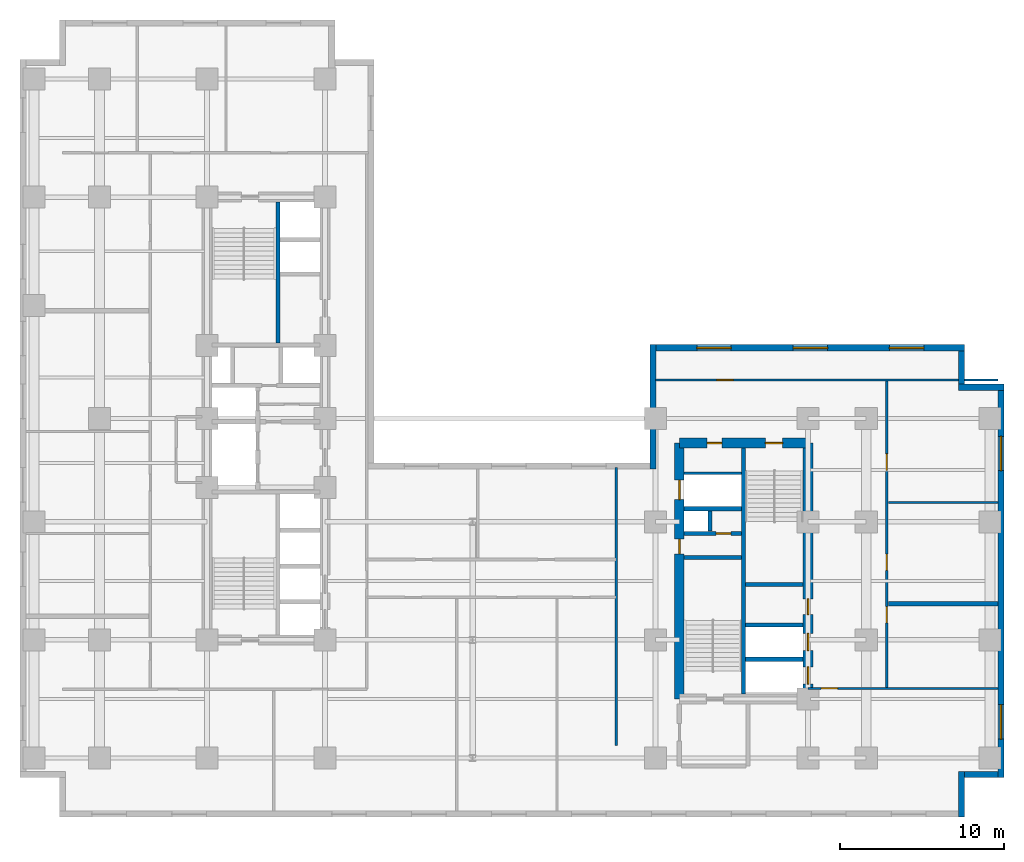
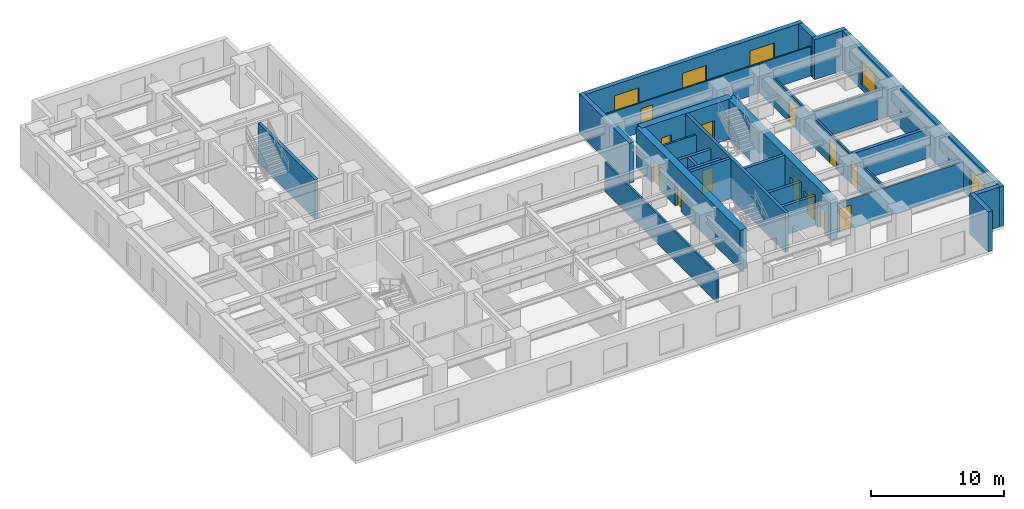
# One storey, part 5 of 9: 26 walls, 13 doors, 5 windows, 18 openings.
"""IFC4 building model written with IfcOpenShell, lengths in metres."""

from ifc_helpers import new_model, entity, si_unit, converted_unit, direction, frame, origin_with_axes, origin_2d_with_axis, place, context, subcontext, project, spatial, polyline, rectangle, outline, extrude, material, layer, layer_set, type_object, element, fill, save


model = new_model("IFC4")

# Units and contexts
model_context = context("Model", 3, precision=1e-05, world=origin_with_axes(), true_north=direction((0.0, 1.0)))
body_context = subcontext(model_context, "Body", "Model", "MODEL_VIEW")
ifc_project = project(units=[si_unit("LENGTHUNIT", "METRE"), si_unit("AREAUNIT", "SQUARE_METRE"), si_unit("VOLUMEUNIT", "CUBIC_METRE"), converted_unit("PLANEANGLEUNIT", "DEGREE", entity("IfcPlaneAngleMeasure", 0.017453292519943295), si_unit("PLANEANGLEUNIT", "RADIAN"), dimensions=[0, 0, 0, 0, 0, 0, 0]), si_unit("MASSUNIT", "GRAM", prefix="KILO"), si_unit("THERMODYNAMICTEMPERATUREUNIT", "KELVIN")], contexts=[model_context])

# Site, building, storey
site_placement = place(None, origin_with_axes())
site = spatial("IfcSite", under=ifc_project, at=site_placement, CompositionType="ELEMENT")
building_placement = place(site_placement, origin_with_axes())
building = spatial("IfcBuilding", under=site, at=building_placement, Name="Varnlund Millrace Tower", CompositionType="ELEMENT")
storey_placement = place(building_placement, frame((0.0, 0.0, 52.2), z_axis=(0.0, 0.0, 1.0), x_axis=(1.0, 0.0, 0.0)))
storey = spatial("IfcBuildingStorey", under=building, at=storey_placement, Name="L12", CompositionType="ELEMENT", Elevation=52.2)

# Wall, openings, doors
ifc_material_1 = material(Name="Concrete C80/95", Category="concrete")
ifc_layer_1 = layer(ifc_material_1, 0.6, Name="Concrete C80/95")
ifc_layer_set_1 = layer_set([ifc_layer_1], Name="Concrete C80/95")
wall_type_1 = type_object("IfcWallType", Name="Type-CoreWall-Shear-600-C80", PredefinedType="SHEAR", material=ifc_layer_set_1)
wall_1_placement = place(storey_placement, frame((40.2, 7.2, 0.0), z_axis=(0.0, 0.0, 1.0), x_axis=(0.0, 1.0, 0.0)))
wall_1 = element("IfcWall", 1, at=wall_1_placement, inside=storey, type_object=wall_type_1, Name="Type-CoreWall-Shear-600-C80", PredefinedType="SHEAR", context=body_context, shape_type="SweptSolid", body=[
    extrude(outline(polyline([(0.0, -0.3), (15.6, -0.3), (15.6, 0.3), (0.0, 0.3), (0.0, -0.3)])), origin_with_axes(), (0.0, 0.0, 1.0), 3.66),
])
opening_1_placement = place(wall_1_placement, frame((12.75, 0.0, 0.0), z_axis=(0.0, 0.0, 1.0), x_axis=(1.0, 0.0, 0.0)))
opening_1 = element("IfcOpeningElement", 2, at=opening_1_placement, cuts=wall_1, Name="Opening L12:LD-SRV2", PredefinedType="OPENING", context=body_context, shape_type="SweptSolid", body=[
    extrude(rectangle(XDim=1.2, YDim=0.62, at=origin_2d_with_axis()), origin_with_axes(), (0.0, 0.0, 1.0), 2.15),
])
opening_2_placement = place(wall_1_placement, frame((9.3, 0.0, 0.0), z_axis=(0.0, 0.0, 1.0), x_axis=(1.0, 0.0, 0.0)))
opening_2 = element("IfcOpeningElement", 3, at=opening_2_placement, cuts=wall_1, Name="Opening L12:DR-CB-JAN", PredefinedType="OPENING", context=body_context, shape_type="SweptSolid", body=[
    extrude(rectangle(XDim=0.9, YDim=0.62, at=origin_2d_with_axis()), origin_with_axes(), (0.0, 0.0, 1.0), 2.15),
])
ifc_material_2 = material(Name="Fire-rated hollow steel service closet door", Category="steel")
door_type_1 = type_object("IfcDoorType", Name="Type-FireDoor-Closet-900X2150", OperationType="NOTDEFINED", PredefinedType="DOOR", material=ifc_material_2)
door_1_placement = place(wall_1_placement, frame((9.3, 0.0, 0.0), z_axis=(0.0, 0.0, 1.0), x_axis=(1.0, 0.0, 0.0)))
door_1 = element("IfcDoor", 4, at=door_1_placement, inside=storey, type_object=door_type_1, Name="Type-FireDoor-Closet-900X2150", OperationType="SINGLE_SWING_RIGHT", OverallHeight=2.15, OverallWidth=0.9, PredefinedType="DOOR", context=body_context, shape_type="SweptSolid", body=[
    extrude(rectangle(XDim=0.9, YDim=0.09, at=origin_2d_with_axis()), origin_with_axes(), (0.0, 0.0, 1.0), 2.15),
])
fill(opening_2, door_1)
ifc_material_3 = material(Name="Heavy-duty freight sliding landing door")
door_type_2 = type_object("IfcDoorType", Name="Type-LiftLandingDoor-Service-1200X2150", OperationType="NOTDEFINED", PredefinedType="DOOR", material=ifc_material_3)
door_2_placement = place(wall_1_placement, frame((12.75, 0.0, 0.0), z_axis=(0.0, 0.0, 1.0), x_axis=(1.0, 0.0, 0.0)))
door_2 = element("IfcDoor", 5, at=door_2_placement, inside=storey, type_object=door_type_2, Name="Type-LiftLandingDoor-Service-1200X2150", OperationType="DOUBLE_DOOR_SLIDING", OverallHeight=2.15, OverallWidth=1.2, PredefinedType="DOOR", context=body_context, shape_type="SweptSolid", body=[
    extrude(rectangle(XDim=1.2, YDim=0.09, at=origin_2d_with_axis()), origin_with_axes(), (0.0, 0.0, 1.0), 2.15),
])
fill(opening_1, door_2)

wall_2_placement = place(storey_placement, frame((40.2, 22.8, 0.0), z_axis=(0.0, 0.0, 1.0), x_axis=(1.0, 0.0, 0.0)))
wall_2 = element("IfcWall", 6, at=wall_2_placement, inside=storey, type_object=wall_type_1, Name="Type-CoreWall-Shear-600-C80", PredefinedType="SHEAR", context=body_context, shape_type="SweptSolid", body=[
    extrude(outline(polyline([(0.0, -0.3), (7.85, -0.3), (7.85, 0.3), (0.0, 0.3), (0.0, -0.3)])), origin_with_axes(), (0.0, 0.0, 1.0), 3.66),
])
opening_3_placement = place(wall_2_placement, frame((5.775, 0.0, 0.0), z_axis=(0.0, 0.0, 1.0), x_axis=(1.0, 0.0, 0.0)))
opening_3 = element("IfcOpeningElement", 7, at=opening_3_placement, cuts=wall_2, Name="Opening L12:DR-STB2", PredefinedType="OPENING", context=body_context, shape_type="SweptSolid", body=[
    extrude(rectangle(XDim=1.05, YDim=0.62, at=origin_2d_with_axis()), origin_with_axes(), (0.0, 0.0, 1.0), 2.15),
])
opening_4_placement = place(wall_2_placement, frame((2.15, 0.0, 0.0), z_axis=(0.0, 0.0, 1.0), x_axis=(1.0, 0.0, 0.0)))
opening_4 = element("IfcOpeningElement", 8, at=opening_4_placement, cuts=wall_2, Name="Opening L12:DR-CB-NW", PredefinedType="OPENING", context=body_context, shape_type="SweptSolid", body=[
    extrude(rectangle(XDim=0.9, YDim=0.62, at=origin_2d_with_axis()), origin_with_axes(), (0.0, 0.0, 1.0), 2.15),
])
door_3_placement = place(wall_2_placement, frame((2.15, 0.0, 0.0), z_axis=(0.0, 0.0, 1.0), x_axis=(1.0, 0.0, 0.0)))
door_3 = element("IfcDoor", 9, at=door_3_placement, inside=storey, type_object=door_type_1, Name="Type-FireDoor-Closet-900X2150", OperationType="SINGLE_SWING_LEFT", OverallHeight=2.15, OverallWidth=0.9, PredefinedType="DOOR", context=body_context, shape_type="SweptSolid", body=[
    extrude(rectangle(XDim=0.9, YDim=0.09, at=origin_2d_with_axis()), origin_with_axes(), (0.0, 0.0, 1.0), 2.15),
])
fill(opening_4, door_3)
ifc_material_4 = material(Name="Fire-rated hollow steel door", Category="steel")
door_type_3 = type_object("IfcDoorType", Name="Type-FireDoor-Stair-1050X2150", OperationType="NOTDEFINED", PredefinedType="DOOR", material=ifc_material_4)
door_4_placement = place(wall_2_placement, frame((5.775, 0.0, 0.0), z_axis=(0.0, 0.0, 1.0), x_axis=(1.0, 0.0, 0.0)))
door_4 = element("IfcDoor", 10, at=door_4_placement, inside=storey, type_object=door_type_3, Name="Type-FireDoor-Stair-1050X2150", OperationType="SINGLE_SWING_RIGHT", OverallHeight=2.15, OverallWidth=1.05, PredefinedType="DOOR", context=body_context, shape_type="SweptSolid", body=[
    extrude(rectangle(XDim=1.05, YDim=0.09, at=origin_2d_with_axis()), origin_with_axes(), (0.0, 0.0, 1.0), 2.15),
])
fill(opening_3, door_4)

wall_3_placement = place(storey_placement, frame((48.05, 7.2, 0.0), z_axis=(0.0, 0.0, 1.0), x_axis=(0.0, 1.0, 0.0)))
wall_3 = element("IfcWall", 11, at=wall_3_placement, inside=storey, type_object=wall_type_1, Name="Type-CoreWall-Shear-600-C80", PredefinedType="SHEAR", context=body_context, shape_type="SweptSolid", body=[
    extrude(outline(polyline([(0.0, -0.3), (15.6, -0.3), (15.6, 0.3), (0.0, 0.3), (0.0, -0.3)])), origin_with_axes(), (0.0, 0.0, 1.0), 3.66),
])
opening_5_placement = place(wall_3_placement, frame((1.425, 0.0, 0.0), z_axis=(0.0, 0.0, 1.0), x_axis=(1.0, 0.0, 0.0)))
opening_5 = element("IfcOpeningElement", 12, at=opening_5_placement, cuts=wall_3, Name="Opening L12:LD-ELV-L3", PredefinedType="OPENING", context=body_context, shape_type="SweptSolid", body=[
    extrude(rectangle(XDim=1.05, YDim=0.62, at=origin_2d_with_axis()), origin_with_axes(), (0.0, 0.0, 1.0), 2.15),
])
opening_6_placement = place(wall_3_placement, frame((3.475, 0.0, 0.0), z_axis=(0.0, 0.0, 1.0), x_axis=(1.0, 0.0, 0.0)))
opening_6 = element("IfcOpeningElement", 13, at=opening_6_placement, cuts=wall_3, Name="Opening L12:LD-ELV-L4", PredefinedType="OPENING", context=body_context, shape_type="SweptSolid", body=[
    extrude(rectangle(XDim=1.05, YDim=0.62, at=origin_2d_with_axis()), origin_with_axes(), (0.0, 0.0, 1.0), 2.15),
])
opening_7_placement = place(wall_3_placement, frame((5.625, 0.0, 0.0), z_axis=(0.0, 0.0, 1.0), x_axis=(1.0, 0.0, 0.0)))
opening_7 = element("IfcOpeningElement", 14, at=opening_7_placement, cuts=wall_3, Name="Opening L12:DR-CB-WC", PredefinedType="OPENING", context=body_context, shape_type="SweptSolid", body=[
    extrude(rectangle(XDim=0.95, YDim=0.62, at=origin_2d_with_axis()), origin_with_axes(), (0.0, 0.0, 1.0), 2.15),
])
ifc_material_5 = material(Name="Fire-rated hollow steel core service door", Category="steel")
door_type_4 = type_object("IfcDoorType", Name="Type-FireDoor-Service-950X2150", OperationType="NOTDEFINED", PredefinedType="DOOR", material=ifc_material_5)
door_5_placement = place(wall_3_placement, frame((5.625, 0.0, 0.0), z_axis=(0.0, 0.0, 1.0), x_axis=(1.0, 0.0, 0.0)))
door_5 = element("IfcDoor", 15, at=door_5_placement, inside=storey, type_object=door_type_4, Name="Type-FireDoor-Service-950X2150", OperationType="SINGLE_SWING_LEFT", OverallHeight=2.15, OverallWidth=0.95, PredefinedType="DOOR", context=body_context, shape_type="SweptSolid", body=[
    extrude(rectangle(XDim=0.95, YDim=0.09, at=origin_2d_with_axis()), origin_with_axes(), (0.0, 0.0, 1.0), 2.15),
])
fill(opening_7, door_5)
ifc_material_6 = material(Name="Architectural bronze sliding landing door")
door_type_5 = type_object("IfcDoorType", Name="Type-LiftLandingDoor-Compact-1050X2150", OperationType="NOTDEFINED", PredefinedType="DOOR", material=ifc_material_6)
door_6_placement = place(wall_3_placement, frame((1.425, 0.0, 0.0), z_axis=(0.0, 0.0, 1.0), x_axis=(1.0, 0.0, 0.0)))
door_6 = element("IfcDoor", 16, at=door_6_placement, inside=storey, type_object=door_type_5, Name="Type-LiftLandingDoor-Compact-1050X2150", OperationType="SLIDING_TO_LEFT", OverallHeight=2.15, OverallWidth=1.05, PredefinedType="DOOR", context=body_context, shape_type="SweptSolid", body=[
    extrude(rectangle(XDim=1.05, YDim=0.09, at=origin_2d_with_axis()), origin_with_axes(), (0.0, 0.0, 1.0), 2.15),
])
fill(opening_5, door_6)
door_7_placement = place(wall_3_placement, frame((3.475, 0.0, 0.0), z_axis=(0.0, 0.0, 1.0), x_axis=(1.0, 0.0, 0.0)))
door_7 = element("IfcDoor", 17, at=door_7_placement, inside=storey, type_object=door_type_5, Name="Type-LiftLandingDoor-Compact-1050X2150", OperationType="SLIDING_TO_RIGHT", OverallHeight=2.15, OverallWidth=1.05, PredefinedType="DOOR", context=body_context, shape_type="SweptSolid", body=[
    extrude(rectangle(XDim=1.05, YDim=0.09, at=origin_2d_with_axis()), origin_with_axes(), (0.0, 0.0, 1.0), 2.15),
])
fill(opening_6, door_7)

# Wall
ifc_material_7 = material(Name="Precast concrete C50/60", Category="concrete")
ifc_layer_2 = layer(ifc_material_7, 0.38, Name="Precast concrete C50/60")
ifc_layer_set_2 = layer_set([ifc_layer_2], Name="Precast concrete C50/60")
wall_type_2 = type_object("IfcWallType", Name="Type-ExtWall-Precast-Tube-380", PredefinedType="SOLIDWALL", material=ifc_layer_set_2)
wall_4_placement = place(storey_placement, frame((38.59, 21.22, 0.0), z_axis=(0.0, 0.0, 1.0), x_axis=(0.0, 1.0, 0.0)))
element("IfcWall", 18, at=wall_4_placement, inside=storey, type_object=wall_type_2, Name="Type-ExtWall-Precast-Tube-380", PredefinedType="SOLIDWALL", context=body_context, shape_type="SweptSolid", body=[
    extrude(outline(polyline([(0.0, -0.19), (7.58, -0.19), (7.58, 0.19), (0.0, 0.19), (0.0, -0.19)])), origin_with_axes(), (0.0, 0.0, 1.0), 3.66),
])

# Wall, openings, windows
wall_5_placement = place(storey_placement, frame((38.78, 28.61, 0.0), z_axis=(0.0, 0.0, 1.0), x_axis=(1.0, 0.0, 0.0)))
wall_5 = element("IfcWall", 19, at=wall_5_placement, inside=storey, type_object=wall_type_2, Name="Type-ExtWall-Precast-Tube-380", PredefinedType="SOLIDWALL", context=body_context, shape_type="SweptSolid", body=[
    extrude(outline(polyline([(0.0, -0.19), (18.82, -0.19), (18.82, 0.19), (0.0, 0.19), (0.0, -0.19)])), origin_with_axes(), (0.0, 0.0, 1.0), 3.66),
])
opening_8_placement = place(wall_5_placement, frame((3.537, 0.0, 0.45), z_axis=(0.0, 0.0, 1.0), x_axis=(1.0, 0.0, 0.0)))
opening_8 = element("IfcOpeningElement", 20, at=opening_8_placement, cuts=wall_5, Name="Opening L12:WN-01", PredefinedType="OPENING", context=body_context, shape_type="SweptSolid", body=[
    extrude(rectangle(XDim=2.1, YDim=0.4, at=origin_2d_with_axis()), origin_with_axes(), (0.0, 0.0, 1.0), 2.2),
])
opening_9_placement = place(wall_5_placement, frame((9.41, 0.0, 0.45), z_axis=(0.0, 0.0, 1.0), x_axis=(1.0, 0.0, 0.0)))
opening_9 = element("IfcOpeningElement", 21, at=opening_9_placement, cuts=wall_5, Name="Opening L12:WN-02", PredefinedType="OPENING", context=body_context, shape_type="SweptSolid", body=[
    extrude(rectangle(XDim=2.1, YDim=0.4, at=origin_2d_with_axis()), origin_with_axes(), (0.0, 0.0, 1.0), 2.2),
])
opening_10_placement = place(wall_5_placement, frame((15.283, 0.0, 0.45), z_axis=(0.0, 0.0, 1.0), x_axis=(1.0, 0.0, 0.0)))
opening_10 = element("IfcOpeningElement", 22, at=opening_10_placement, cuts=wall_5, Name="Opening L12:WN-03", PredefinedType="OPENING", context=body_context, shape_type="SweptSolid", body=[
    extrude(rectangle(XDim=2.1, YDim=0.4, at=origin_2d_with_axis()), origin_with_axes(), (0.0, 0.0, 1.0), 2.2),
])
ifc_material_8 = material(Name="Argon low-e triple glazing in thermally broken bronze frame", Category="glass")
window_type = type_object("IfcWindowType", Name="Type-Window-Punched-2100X2200", PartitioningType="SINGLE_PANEL", PredefinedType="WINDOW", material=ifc_material_8)
window_1_placement = place(wall_5_placement, frame((3.537, 0.0, 0.45), z_axis=(0.0, 0.0, 1.0), x_axis=(1.0, 0.0, 0.0)))
window_1 = element("IfcWindow", 23, at=window_1_placement, inside=storey, type_object=window_type, Name="Type-Window-Punched-2100X2200", OverallHeight=2.2, OverallWidth=2.1, PredefinedType="WINDOW", context=body_context, shape_type="SweptSolid", body=[
    extrude(rectangle(XDim=2.1, YDim=0.09, at=origin_2d_with_axis()), origin_with_axes(), (0.0, 0.0, 1.0), 2.2),
])
fill(opening_8, window_1)
window_2_placement = place(wall_5_placement, frame((9.41, 0.0, 0.45), z_axis=(0.0, 0.0, 1.0), x_axis=(1.0, 0.0, 0.0)))
window_2 = element("IfcWindow", 24, at=window_2_placement, inside=storey, type_object=window_type, Name="Type-Window-Punched-2100X2200", OverallHeight=2.2, OverallWidth=2.1, PredefinedType="WINDOW", context=body_context, shape_type="SweptSolid", body=[
    extrude(rectangle(XDim=2.1, YDim=0.09, at=origin_2d_with_axis()), origin_with_axes(), (0.0, 0.0, 1.0), 2.2),
])
fill(opening_9, window_2)
window_3_placement = place(wall_5_placement, frame((15.283, 0.0, 0.45), z_axis=(0.0, 0.0, 1.0), x_axis=(1.0, 0.0, 0.0)))
window_3 = element("IfcWindow", 25, at=window_3_placement, inside=storey, type_object=window_type, Name="Type-Window-Punched-2100X2200", OverallHeight=2.2, OverallWidth=2.1, PredefinedType="WINDOW", context=body_context, shape_type="SweptSolid", body=[
    extrude(rectangle(XDim=2.1, YDim=0.09, at=origin_2d_with_axis()), origin_with_axes(), (0.0, 0.0, 1.0), 2.2),
])
fill(opening_10, window_3)

# Walls
wall_6_placement = place(storey_placement, frame((57.41, 28.42, 0.0), z_axis=(0.0, 0.0, 1.0), x_axis=(0.0, -1.0, 0.0)))
element("IfcWall", 26, at=wall_6_placement, inside=storey, type_object=wall_type_2, Name="Type-ExtWall-Precast-Tube-380", PredefinedType="SOLIDWALL", context=body_context, shape_type="SweptSolid", body=[
    extrude(outline(polyline([(0.0, -0.19), (2.02, -0.19), (2.02, 0.19), (0.0, 0.19), (0.0, -0.19)])), origin_with_axes(), (0.0, 0.0, 1.0), 3.66),
])
wall_7_placement = place(storey_placement, frame((57.22, 26.21, 0.0), z_axis=(0.0, 0.0, 1.0), x_axis=(1.0, 0.0, 0.0)))
element("IfcWall", 27, at=wall_7_placement, inside=storey, type_object=wall_type_2, Name="Type-ExtWall-Precast-Tube-380", PredefinedType="SOLIDWALL", context=body_context, shape_type="SweptSolid", body=[
    extrude(outline(polyline([(0.0, -0.19), (2.78, -0.19), (2.78, 0.19), (0.0, 0.19), (0.0, -0.19)])), origin_with_axes(), (0.0, 0.0, 1.0), 3.66),
])

# Wall, openings, windows
wall_8_placement = place(storey_placement, frame((59.81, 26.02, 0.0), z_axis=(0.0, 0.0, 1.0), x_axis=(0.0, -1.0, 0.0)))
wall_8 = element("IfcWall", 28, at=wall_8_placement, inside=storey, type_object=wall_type_2, Name="Type-ExtWall-Precast-Tube-380", PredefinedType="SOLIDWALL", context=body_context, shape_type="SweptSolid", body=[
    extrude(outline(polyline([(0.0, -0.19), (23.62, -0.19), (23.62, 0.19), (0.0, 0.19), (0.0, -0.19)])), origin_with_axes(), (0.0, 0.0, 1.0), 3.66),
])
opening_11_placement = place(wall_8_placement, frame((3.853, 0.0, 0.45), z_axis=(0.0, 0.0, 1.0), x_axis=(1.0, 0.0, 0.0)))
opening_11 = element("IfcOpeningElement", 29, at=opening_11_placement, cuts=wall_8, Name="Opening L12:WN-04", PredefinedType="OPENING", context=body_context, shape_type="SweptSolid", body=[
    extrude(rectangle(XDim=2.1, YDim=0.4, at=origin_2d_with_axis()), origin_with_axes(), (0.0, 0.0, 1.0), 2.2),
])
opening_12_placement = place(wall_8_placement, frame((20.218, 0.0, 0.45), z_axis=(0.0, 0.0, 1.0), x_axis=(1.0, 0.0, 0.0)))
opening_12 = element("IfcOpeningElement", 30, at=opening_12_placement, cuts=wall_8, Name="Opening L12:WN-05", PredefinedType="OPENING", context=body_context, shape_type="SweptSolid", body=[
    extrude(rectangle(XDim=2.1, YDim=0.4, at=origin_2d_with_axis()), origin_with_axes(), (0.0, 0.0, 1.0), 2.2),
])
window_4_placement = place(wall_8_placement, frame((3.853, 0.0, 0.45), z_axis=(0.0, 0.0, 1.0), x_axis=(1.0, 0.0, 0.0)))
window_4 = element("IfcWindow", 31, at=window_4_placement, inside=storey, type_object=window_type, Name="Type-Window-Punched-2100X2200", OverallHeight=2.2, OverallWidth=2.1, PredefinedType="WINDOW", context=body_context, shape_type="SweptSolid", body=[
    extrude(rectangle(XDim=2.1, YDim=0.09, at=origin_2d_with_axis()), origin_with_axes(), (0.0, 0.0, 1.0), 2.2),
])
fill(opening_11, window_4)
window_5_placement = place(wall_8_placement, frame((20.218, 0.0, 0.45), z_axis=(0.0, 0.0, 1.0), x_axis=(1.0, 0.0, 0.0)))
window_5 = element("IfcWindow", 32, at=window_5_placement, inside=storey, type_object=window_type, Name="Type-Window-Punched-2100X2200", OverallHeight=2.2, OverallWidth=2.1, PredefinedType="WINDOW", context=body_context, shape_type="SweptSolid", body=[
    extrude(rectangle(XDim=2.1, YDim=0.09, at=origin_2d_with_axis()), origin_with_axes(), (0.0, 0.0, 1.0), 2.2),
])
fill(opening_12, window_5)

# Walls
wall_9_placement = place(storey_placement, frame((59.62, 2.59, 0.0), z_axis=(0.0, 0.0, 1.0), x_axis=(-1.0, 0.0, 0.0)))
element("IfcWall", 33, at=wall_9_placement, inside=storey, type_object=wall_type_2, Name="Type-ExtWall-Precast-Tube-380", PredefinedType="SOLIDWALL", context=body_context, shape_type="SweptSolid", body=[
    extrude(outline(polyline([(0.0, -0.19), (2.02, -0.19), (2.02, 0.19), (0.0, 0.19), (0.0, -0.19)])), origin_with_axes(), (0.0, 0.0, 1.0), 3.66),
])
wall_10_placement = place(storey_placement, frame((57.41, 2.78, 0.0), z_axis=(0.0, 0.0, 1.0), x_axis=(0.0, -1.0, 0.0)))
element("IfcWall", 34, at=wall_10_placement, inside=storey, type_object=wall_type_2, Name="Type-ExtWall-Precast-Tube-380", PredefinedType="SOLIDWALL", context=body_context, shape_type="SweptSolid", body=[
    extrude(outline(polyline([(0.0, -0.19), (2.78, -0.19), (2.78, 0.19), (0.0, 0.19), (0.0, -0.19)])), origin_with_axes(), (0.0, 0.0, 1.0), 3.66),
])
ifc_material_9 = material(Name="Double-stud STC-60 conference acoustic partition", Category="gypsum")
ifc_layer_3 = layer(ifc_material_9, 0.28, Name="Double-stud STC-60 conference acoustic partition")
ifc_layer_set_3 = layer_set([ifc_layer_3], Name="Double-stud STC-60 conference acoustic partition")
wall_type_3 = type_object("IfcWallType", Name="Type-Partition-Acoustic-280", PredefinedType="PARTITIONING", material=ifc_layer_set_3)
wall_11_placement = place(storey_placement, frame((52.97, 13.004, 0.0), z_axis=(0.0, 0.0, 1.0), x_axis=(1.0, 0.0, 0.0)))
element("IfcWall", 35, at=wall_11_placement, inside=storey, type_object=wall_type_3, Name="Type-Partition-Acoustic-280", PredefinedType="PARTITIONING", context=body_context, shape_type="SweptSolid", body=[
    extrude(outline(polyline([(0.0, -0.14), (6.655, -0.14), (6.655, 0.14), (0.0, 0.14), (0.0, -0.14)])), origin_with_axes(), (0.0, 0.0, 1.0), 2.7),
])
ifc_material_10 = material(Name="Fire-rated gypsum board on cold-formed steel framing", Category="steel")
ifc_layer_4 = layer(ifc_material_10, 0.16, Name="Fire-rated gypsum board on cold-formed steel framing")
ifc_layer_set_4 = layer_set([ifc_layer_4], Name="Fire-rated gypsum board on cold-formed steel framing")
wall_type_4 = type_object("IfcWallType", Name="Type-Partition-Corridor-160", PredefinedType="PARTITIONING", material=ifc_layer_set_4)
wall_12_placement = place(storey_placement, frame((40.5, 20.96, 0.0), z_axis=(0.0, 0.0, 1.0), x_axis=(1.0, 0.0, 0.0)))
element("IfcWall", 36, at=wall_12_placement, inside=storey, type_object=wall_type_4, Name="Type-Partition-Corridor-160", PredefinedType="PARTITIONING", context=body_context, shape_type="SweptSolid", body=[
    extrude(outline(polyline([(0.0, -0.08), (3.5, -0.08), (3.5, 0.08), (0.0, 0.08), (0.0, -0.08)])), origin_with_axes(), (0.0, 0.0, 1.0), 2.7),
])
wall_13_placement = place(storey_placement, frame((36.35, 4.35, 0.0), z_axis=(0.0, 0.0, 1.0), x_axis=(0.0, 1.0, 0.0)))
element("IfcWall", 37, at=wall_13_placement, inside=storey, type_object=wall_type_4, Name="Type-Partition-Corridor-160", PredefinedType="PARTITIONING", context=body_context, shape_type="SweptSolid", body=[
    extrude(outline(polyline([(0.0, -0.08), (16.95, -0.08), (16.95, 0.08), (0.0, 0.08), (0.0, -0.08)])), origin_with_axes(), (0.0, 0.0, 1.0), 2.7),
])

# Wall, openings, doors
wall_14_placement = place(storey_placement, frame((52.85, 7.85, 0.0), z_axis=(0.0, 0.0, 1.0), x_axis=(0.0, 1.0, 0.0)))
wall_14 = element("IfcWall", 38, at=wall_14_placement, inside=storey, type_object=wall_type_4, Name="Type-Partition-Corridor-160", PredefinedType="PARTITIONING", context=body_context, shape_type="SweptSolid", body=[
    extrude(outline(polyline([(0.0, -0.08), (18.8, -0.08), (18.8, 0.08), (0.0, 0.08), (0.0, -0.08)])), origin_with_axes(), (0.0, 0.0, 1.0), 2.7),
])
opening_13_placement = place(wall_14_placement, frame((4.484, 0.0, 0.0), z_axis=(0.0, 0.0, 1.0), x_axis=(1.0, 0.0, 0.0)))
opening_13 = element("IfcOpeningElement", 39, at=opening_13_placement, cuts=wall_14, Name="Opening L12:DR-WB-01", PredefinedType="OPENING", context=body_context, shape_type="SweptSolid", body=[
    extrude(rectangle(XDim=1.0, YDim=0.18, at=origin_2d_with_axis()), origin_with_axes(), (0.0, 0.0, 1.0), 2.15),
])
opening_14_placement = place(wall_14_placement, frame((7.687, 0.0, 0.0), z_axis=(0.0, 0.0, 1.0), x_axis=(1.0, 0.0, 0.0)))
opening_14 = element("IfcOpeningElement", 40, at=opening_14_placement, cuts=wall_14, Name="Opening L12:DR-WB-02", PredefinedType="OPENING", context=body_context, shape_type="SweptSolid", body=[
    extrude(rectangle(XDim=1.0, YDim=0.18, at=origin_2d_with_axis()), origin_with_axes(), (0.0, 0.0, 1.0), 2.15),
])
opening_15_placement = place(wall_14_placement, frame((13.79, 0.0, 0.0), z_axis=(0.0, 0.0, 1.0), x_axis=(1.0, 0.0, 0.0)))
opening_15 = element("IfcOpeningElement", 41, at=opening_15_placement, cuts=wall_14, Name="Opening L12:DR-WB-03", PredefinedType="OPENING", context=body_context, shape_type="SweptSolid", body=[
    extrude(rectangle(XDim=1.0, YDim=0.18, at=origin_2d_with_axis()), origin_with_axes(), (0.0, 0.0, 1.0), 2.15),
])
ifc_material_11 = material(Name="Solid-core white oak and bronze frame door")
door_type_6 = type_object("IfcDoorType", Name="Type-IntDoor-Office-1000X2150", OperationType="NOTDEFINED", PredefinedType="DOOR", material=ifc_material_11)
door_8_placement = place(wall_14_placement, frame((4.484, 0.0, 0.0), z_axis=(0.0, 0.0, 1.0), x_axis=(1.0, 0.0, 0.0)))
door_8 = element("IfcDoor", 42, at=door_8_placement, inside=storey, type_object=door_type_6, Name="Type-IntDoor-Office-1000X2150", OperationType="SINGLE_SWING_LEFT", OverallHeight=2.15, OverallWidth=1.0, PredefinedType="DOOR", context=body_context, shape_type="SweptSolid", body=[
    extrude(rectangle(XDim=1.0, YDim=0.09, at=origin_2d_with_axis()), origin_with_axes(), (0.0, 0.0, 1.0), 2.15),
])
fill(opening_13, door_8)
door_9_placement = place(wall_14_placement, frame((7.687, 0.0, 0.0), z_axis=(0.0, 0.0, 1.0), x_axis=(1.0, 0.0, 0.0)))
door_9 = element("IfcDoor", 43, at=door_9_placement, inside=storey, type_object=door_type_6, Name="Type-IntDoor-Office-1000X2150", OperationType="SINGLE_SWING_RIGHT", OverallHeight=2.15, OverallWidth=1.0, PredefinedType="DOOR", context=body_context, shape_type="SweptSolid", body=[
    extrude(rectangle(XDim=1.0, YDim=0.09, at=origin_2d_with_axis()), origin_with_axes(), (0.0, 0.0, 1.0), 2.15),
])
fill(opening_14, door_9)
door_10_placement = place(wall_14_placement, frame((13.79, 0.0, 0.0), z_axis=(0.0, 0.0, 1.0), x_axis=(1.0, 0.0, 0.0)))
door_10 = element("IfcDoor", 44, at=door_10_placement, inside=storey, type_object=door_type_6, Name="Type-IntDoor-Office-1000X2150", OperationType="SINGLE_SWING_LEFT", OverallHeight=2.15, OverallWidth=1.0, PredefinedType="DOOR", context=body_context, shape_type="SweptSolid", body=[
    extrude(rectangle(XDim=1.0, YDim=0.09, at=origin_2d_with_axis()), origin_with_axes(), (0.0, 0.0, 1.0), 2.15),
])
fill(opening_15, door_10)

# Wall, opening, door
ifc_material_12 = material(Name="Gypsum board tenant partition", Category="gypsum")
ifc_layer_5 = layer(ifc_material_12, 0.125, Name="Gypsum board tenant partition")
ifc_layer_set_5 = layer_set([ifc_layer_5], Name="Gypsum board tenant partition")
wall_type_5 = type_object("IfcWallType", Name="Type-Partition-Tenant-125", PredefinedType="PARTITIONING", material=ifc_layer_set_5)
wall_15_placement = place(storey_placement, frame((59.64, 7.85, 0.0), z_axis=(0.0, 0.0, 1.0), x_axis=(-1.0, 0.0, 0.0)))
wall_15 = element("IfcWall", 45, at=wall_15_placement, inside=storey, type_object=wall_type_5, Name="Type-Partition-Tenant-125", PredefinedType="PARTITIONING", context=body_context, shape_type="SweptSolid", body=[
    extrude(outline(polyline([(0.0, -0.0625), (11.59, -0.0625), (11.59, 0.0625), (0.0, 0.0625), (0.0, -0.0625)])), origin_with_axes(), (0.0, 0.0, 1.0), 2.7),
])
opening_16_placement = place(wall_15_placement, frame((10.29, 0.0, 0.0), z_axis=(0.0, 0.0, 1.0), x_axis=(1.0, 0.0, 0.0)))
opening_16 = element("IfcOpeningElement", 46, at=opening_16_placement, cuts=wall_15, Name="Opening L12:DR-WBS-01", PredefinedType="OPENING", context=body_context, shape_type="SweptSolid", body=[
    extrude(rectangle(XDim=1.0, YDim=0.145, at=origin_2d_with_axis()), origin_with_axes(), (0.0, 0.0, 1.0), 2.15),
])
door_11_placement = place(wall_15_placement, frame((10.29, 0.0, 0.0), z_axis=(0.0, 0.0, 1.0), x_axis=(1.0, 0.0, 0.0)))
door_11 = element("IfcDoor", 47, at=door_11_placement, inside=storey, type_object=door_type_6, Name="Type-IntDoor-Office-1000X2150", OperationType="SINGLE_SWING_LEFT", OverallHeight=2.15, OverallWidth=1.0, PredefinedType="DOOR", context=body_context, shape_type="SweptSolid", body=[
    extrude(rectangle(XDim=1.0, YDim=0.075, at=origin_2d_with_axis()), origin_with_axes(), (0.0, 0.0, 1.0), 2.15),
])
fill(opening_16, door_11)

wall_16_placement = place(storey_placement, frame((38.76, 26.65, 0.0), z_axis=(0.0, 0.0, 1.0), x_axis=(1.0, 0.0, 0.0)))
wall_16 = element("IfcWall", 48, at=wall_16_placement, inside=storey, type_object=wall_type_5, Name="Type-Partition-Tenant-125", PredefinedType="PARTITIONING", context=body_context, shape_type="SweptSolid", body=[
    extrude(outline(polyline([(0.0, -0.0625), (20.88, -0.0625), (20.88, 0.0625), (0.0, 0.0625), (0.0, -0.0625)])), origin_with_axes(), (0.0, 0.0, 1.0), 2.7),
])
opening_17_placement = place(wall_16_placement, frame((4.24, 0.0, 0.0), z_axis=(0.0, 0.0, 1.0), x_axis=(1.0, 0.0, 0.0)))
opening_17 = element("IfcOpeningElement", 49, at=opening_17_placement, cuts=wall_16, Name="Opening L12:DR-WBN-01", PredefinedType="OPENING", context=body_context, shape_type="SweptSolid", body=[
    extrude(rectangle(XDim=1.0, YDim=0.145, at=origin_2d_with_axis()), origin_with_axes(), (0.0, 0.0, 1.0), 2.15),
])
door_12_placement = place(wall_16_placement, frame((4.24, 0.0, 0.0), z_axis=(0.0, 0.0, 1.0), x_axis=(1.0, 0.0, 0.0)))
door_12 = element("IfcDoor", 50, at=door_12_placement, inside=storey, type_object=door_type_6, Name="Type-IntDoor-Office-1000X2150", OperationType="SINGLE_SWING_RIGHT", OverallHeight=2.15, OverallWidth=1.0, PredefinedType="DOOR", context=body_context, shape_type="SweptSolid", body=[
    extrude(rectangle(XDim=1.0, YDim=0.075, at=origin_2d_with_axis()), origin_with_axes(), (0.0, 0.0, 1.0), 2.15),
])
fill(opening_17, door_12)

# Wall
wall_17_placement = place(storey_placement, frame((52.97, 19.189, 0.0), z_axis=(0.0, 0.0, 1.0), x_axis=(1.0, 0.0, 0.0)))
element("IfcWall", 51, at=wall_17_placement, inside=storey, type_object=wall_type_5, Name="Type-Partition-Tenant-125", PredefinedType="PARTITIONING", context=body_context, shape_type="SweptSolid", body=[
    extrude(outline(polyline([(0.0, -0.0625), (6.655, -0.0625), (6.655, 0.0625), (0.0, 0.0625), (0.0, -0.0625)])), origin_with_axes(), (0.0, 0.0, 1.0), 2.7),
])

# Wall, opening, door
ifc_material_13 = material(Name="Concrete C60/75", Category="concrete")
ifc_layer_6 = layer(ifc_material_13, 0.25, Name="Concrete C60/75")
ifc_layer_set_6 = layer_set([ifc_layer_6], Name="Concrete C60/75")
wall_type_6 = type_object("IfcWallType", Name="Type-ShaftWall-Fire-250", PredefinedType="SOLIDWALL", material=ifc_layer_set_6)
wall_18_placement = place(storey_placement, frame((40.5, 17.3, 0.0), z_axis=(0.0, 0.0, 1.0), x_axis=(1.0, 0.0, 0.0)))
wall_18 = element("IfcWall", 52, at=wall_18_placement, inside=storey, type_object=wall_type_6, Name="Type-ShaftWall-Fire-250", PredefinedType="SOLIDWALL", context=body_context, shape_type="SweptSolid", body=[
    extrude(outline(polyline([(0.0, -0.125), (3.5, -0.125), (3.5, 0.125), (0.0, 0.125), (0.0, -0.125)])), origin_with_axes(), (0.0, 0.0, 1.0), 2.7),
])
opening_18_placement = place(wall_18_placement, frame((2.4, 0.0, 0.0), z_axis=(0.0, 0.0, 1.0), x_axis=(1.0, 0.0, 0.0)))
opening_18 = element("IfcOpeningElement", 53, at=opening_18_placement, cuts=wall_18, Name="Opening L12:DR-CB-ELC", PredefinedType="OPENING", context=body_context, shape_type="SweptSolid", body=[
    extrude(rectangle(XDim=0.9, YDim=0.27, at=origin_2d_with_axis()), origin_with_axes(), (0.0, 0.0, 1.0), 2.15),
])
door_13_placement = place(wall_18_placement, frame((2.4, 0.0, 0.0), z_axis=(0.0, 0.0, 1.0), x_axis=(1.0, 0.0, 0.0)))
door_13 = element("IfcDoor", 54, at=door_13_placement, inside=storey, type_object=door_type_1, Name="Type-FireDoor-Closet-900X2150", OperationType="SINGLE_SWING_LEFT", OverallHeight=2.15, OverallWidth=0.9, PredefinedType="DOOR", context=body_context, shape_type="SweptSolid", body=[
    extrude(rectangle(XDim=0.9, YDim=0.09, at=origin_2d_with_axis()), origin_with_axes(), (0.0, 0.0, 1.0), 2.15),
])
fill(opening_18, door_13)

# Walls
wall_19_placement = place(storey_placement, frame((40.5, 18.8, 0.0), z_axis=(0.0, 0.0, 1.0), x_axis=(1.0, 0.0, 0.0)))
element("IfcWall", 55, at=wall_19_placement, inside=storey, type_object=wall_type_6, Name="Type-ShaftWall-Fire-250", PredefinedType="SOLIDWALL", context=body_context, shape_type="SweptSolid", body=[
    extrude(outline(polyline([(0.0, -0.125), (3.5, -0.125), (3.5, 0.125), (0.0, 0.125), (0.0, -0.125)])), origin_with_axes(), (0.0, 0.0, 1.0), 2.7),
])
wall_20_placement = place(storey_placement, frame((42.075, 17.43, 0.0), z_axis=(0.0, 0.0, 1.0), x_axis=(0.0, 1.0, 0.0)))
element("IfcWall", 56, at=wall_20_placement, inside=storey, type_object=wall_type_6, Name="Type-ShaftWall-Fire-250", PredefinedType="SOLIDWALL", context=body_context, shape_type="SweptSolid", body=[
    extrude(outline(polyline([(0.0, -0.125), (1.24, -0.125), (1.24, 0.125), (0.0, 0.125), (0.0, -0.125)])), origin_with_axes(), (0.0, 0.0, 1.0), 2.7),
])
for number, where, z_axis, x_axis, name in (
    (57, (44.25, 9.62, 0.0), (0.0, 0.0, 1.0), (1.0, 0.0, 0.0), "Type-ShaftWall-Fire-250"),
    (58, (44.25, 11.72, 0.0), (0.0, 0.0, 1.0), (1.0, 0.0, 0.0), "Type-ShaftWall-Fire-250"),
):
    element("IfcWall", number, at=place(storey_placement, frame(where, z_axis=z_axis, x_axis=x_axis)), inside=storey, type_object=wall_type_6, Name=name, PredefinedType="SOLIDWALL", context=body_context, shape_type="SweptSolid", body=[
        extrude(outline(polyline([(0.0, -0.125), (3.5, -0.125), (3.5, 0.125), (0.0, 0.125), (0.0, -0.125)])), origin_with_axes(), (0.0, 0.0, 1.0), 2.7),
    ])
wall_type_7 = type_object("IfcWallType", Name="Type-StairWall-Shear-250", PredefinedType="SHEAR", material=ifc_layer_set_6)
wall_21_placement = place(storey_placement, frame((15.725, 28.9, 0.0), z_axis=(0.0, 0.0, 1.0), x_axis=(0.0, 1.0, 0.0)))
element("IfcWall", 59, at=wall_21_placement, inside=storey, type_object=wall_type_7, Name="Type-StairWall-Shear-250", PredefinedType="SHEAR", context=body_context, shape_type="SweptSolid", body=[
    extrude(outline(polyline([(0.0, -0.125), (8.6, -0.125), (8.6, 0.125), (0.0, 0.125), (0.0, -0.125)])), origin_with_axes(), (0.0, 0.0, 1.0), 3.66),
])
wall_22_placement = place(storey_placement, frame((44.125, 7.5, 0.0), z_axis=(0.0, 0.0, 1.0), x_axis=(0.0, 1.0, 0.0)))
element("IfcWall", 60, at=wall_22_placement, inside=storey, type_object=wall_type_7, Name="Type-StairWall-Shear-250", PredefinedType="SHEAR", context=body_context, shape_type="SweptSolid", body=[
    extrude(outline(polyline([(0.0, -0.125), (15.0, -0.125), (15.0, 0.125), (0.0, 0.125), (0.0, -0.125)])), origin_with_axes(), (0.0, 0.0, 1.0), 3.66),
])
for number, where, z_axis, x_axis, name in (
    (61, (40.5, 15.825, 0.0), (0.0, 0.0, 1.0), (1.0, 0.0, 0.0), "Type-StairWall-Shear-250"),
    (62, (44.25, 14.175, 0.0), (0.0, 0.0, 1.0), (1.0, 0.0, 0.0), "Type-StairWall-Shear-250"),
):
    element("IfcWall", number, at=place(storey_placement, frame(where, z_axis=z_axis, x_axis=x_axis)), inside=storey, type_object=wall_type_7, Name=name, PredefinedType="SHEAR", context=body_context, shape_type="SweptSolid", body=[
        extrude(outline(polyline([(0.0, -0.125), (3.5, -0.125), (3.5, 0.125), (0.0, 0.125), (0.0, -0.125)])), origin_with_axes(), (0.0, 0.0, 1.0), 3.66),
    ])

save(model, "model.ifc")
